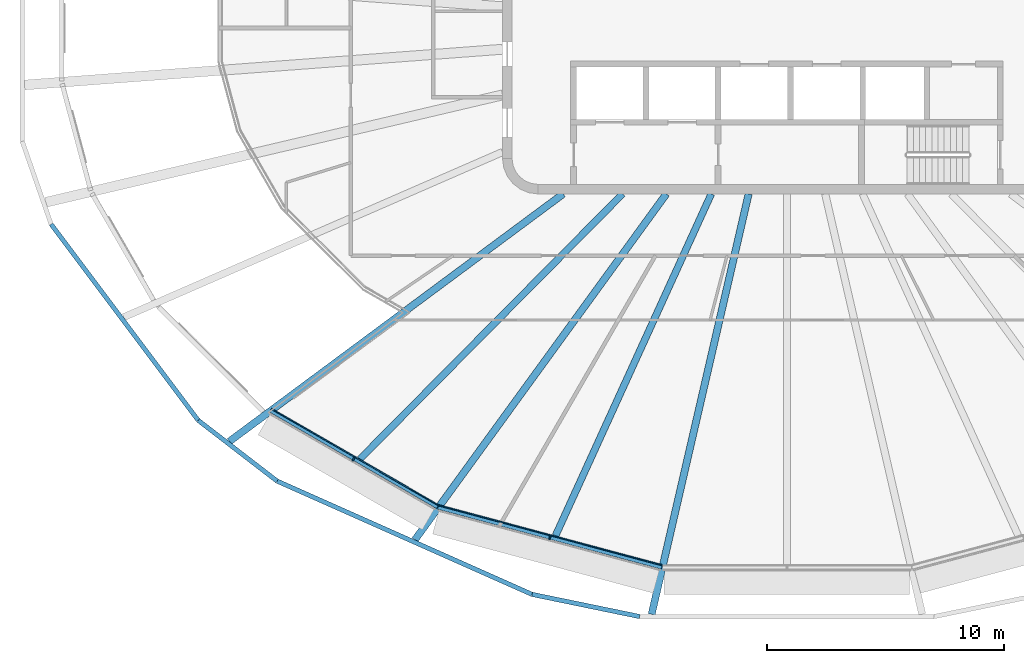
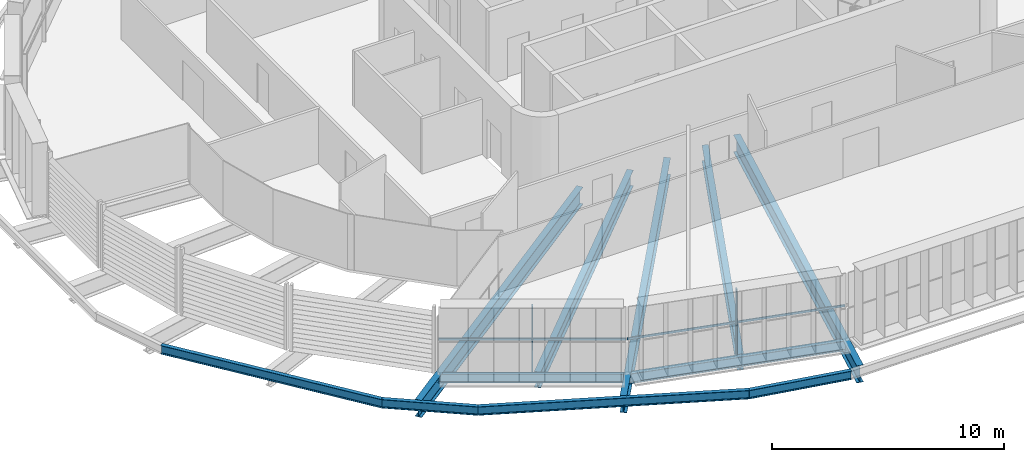
# One storey, part 1 of 19: 11 beams, 4 members, 2 elements without a shape of their own.
"""IFC4 building model written with IfcOpenShell, lengths in metres."""

from ifc_helpers import new_model, si_unit, direction, frame, origin, origin_2d, place, context, subcontext, project, spatial, rectangle, i_section, extrude, material, layer, layer_set, material_profile, profile_set, type_object, element, aggregate, save


model = new_model("IFC4")

# Units and contexts
model_context = context("Model", 3, precision=1e-05, world=origin(), true_north=direction((0.0, 1.0)))
body_context = subcontext(model_context, "Body", "Model", "MODEL_VIEW")
ifc_project = project(units=[si_unit("LENGTHUNIT", "METRE"), si_unit("AREAUNIT", "SQUARE_METRE"), si_unit("VOLUMEUNIT", "CUBIC_METRE"), si_unit("PLANEANGLEUNIT", "RADIAN"), si_unit("MASSUNIT", "GRAM", prefix="KILO")], contexts=[model_context])

# Site, building, storey
site_placement = place(None, origin())
site = spatial("IfcSite", under=ifc_project, at=site_placement, CompositionType="ELEMENT")
building_placement = place(site_placement, origin())
building = spatial("IfcBuilding", under=site, at=building_placement, Name="Sahrelin Media Tower", CompositionType="ELEMENT")
storey_placement = place(building_placement, frame((0.0, 0.0, 229.60009765625)))
storey = spatial("IfcBuildingStorey", under=building, at=storey_placement, Name="L49", CompositionType="ELEMENT", Elevation=229.60009765625)

# Beams
ifc_material_1 = material(Name="Steel S355", Category="steel")
ifc_material_profile_1 = material_profile(ifc_material_1, i_section(OverallWidth=0.1904296875, OverallDepth=0.45703125, WebThickness=0.009033203125, FlangeThickness=0.014404296875, FilletRadius=0.01025390625, at=origin_2d()), Name="UB 457x191x74")
ifc_profile_set_1 = profile_set([ifc_material_profile_1], Name="Steel S355")
beam_type_1 = type_object("IfcBeamType", Name="Edge beam EB5", PredefinedType="BEAM", material=ifc_profile_set_1)
beam_1_placement = place(storey_placement, frame((-14.73779296875, -20.19091796875, -0.378662109375), z_axis=(-0.866014284008, 0.500019259524, 0.0), x_axis=(-0.500019259524, -0.866014284008, 0.0)))
element("IfcBeam", 1, at=beam_1_placement, inside=storey, type_object=beam_type_1, Name="Edge beam L49-09", PredefinedType="BEAM", context=body_context, shape_type="SweptSolid", body=[
    extrude(i_section(OverallWidth=0.1904296875, OverallDepth=0.45703125, WebThickness=0.009033203125, FlangeThickness=0.014404296875, FilletRadius=0.01025390625, at=origin_2d()), origin(), (0.0, 0.0, 1.0), 8.140869140625),
])
ifc_material_profile_2 = material_profile(ifc_material_1, i_section(OverallWidth=0.208740234375, OverallDepth=0.5283203125, WebThickness=0.009521484375, FlangeThickness=0.01318359375, FilletRadius=0.0126953125, at=origin_2d()), Name="UB 533x210x82")
ifc_profile_set_2 = profile_set([ifc_material_profile_2], Name="Steel S355")
beam_type_2 = type_object("IfcBeamType", Name="Edge beam EB6", PredefinedType="BEAM", material=ifc_profile_set_2)
beam_2_placement = place(storey_placement, frame((-5.275146484375, -22.730224609375, -0.414306640625), z_axis=(-0.965927302577, 0.258813535459, 0.0), x_axis=(-0.258813535459, -0.965927302577, 0.0)))
element("IfcBeam", 2, at=beam_2_placement, inside=storey, type_object=beam_type_2, Name="Edge beam L49-08", PredefinedType="BEAM", context=body_context, shape_type="SweptSolid", body=[
    extrude(i_section(OverallWidth=0.208740234375, OverallDepth=0.5283203125, WebThickness=0.009521484375, FlangeThickness=0.01318359375, FilletRadius=0.0126953125, at=origin_2d()), origin(), (0.0, 0.0, 1.0), 9.768798828125),
])

# Curtain wall, member
ifc_material_2 = material(Name="Champagne anodised aluminium 6063-T6", Category="aluminium")
ifc_layer = layer(ifc_material_2, 0.14990234375)
ifc_layer_set = layer_set([ifc_layer], Name="Tower ribbon curtain wall")
curtain_wall_type = type_object("IfcCurtainWallType", Name="Tower ribbon curtain wall", PredefinedType="NOTDEFINED", material=ifc_layer_set)
curtain_wall_1_placement = place(storey_placement, frame((-18.337646484375, -18.28564453125, 0.0), z_axis=(0.0, 0.0, 1.0), x_axis=(1.0, 0.0, 0.0)))
curtain_wall_1 = element("IfcCurtainWall", 3, at=curtain_wall_1_placement, inside=storey, type_object=curtain_wall_type, Name="L49:CW:L49-16", PredefinedType="NOTDEFINED")
ifc_material_profile_3 = material_profile(ifc_material_2, rectangle(XDim=0.06005859375, YDim=0.175048828125, at=origin_2d()), Name="Mullion 60x175")
ifc_profile_set_3 = profile_set([ifc_material_profile_3], Name="Champagne anodised aluminium 6063-T6")
member_type_1 = type_object("IfcMemberType", Name="Mullion 60x175 CW1B", PredefinedType="MULLION", material=ifc_profile_set_3)
member_1_placement = place(storey_placement, frame((-18.283935546875, -18.1923828125, 0.0), z_axis=(0.0, 0.0, 1.0), x_axis=(0.86602365845, -0.500003022996, 0.0)))
member_1 = element("IfcMember", 4, at=member_1_placement, type_object=member_type_1, Name="L49:CWM:L49-16", PredefinedType="MULLION", context=body_context, shape_type="SweptSolid", body=[
    extrude(rectangle(XDim=0.06005859375, YDim=0.175048828125, at=origin_2d()), origin(), (0.0, 0.0, 1.0), 3.448486328125),
])

curtain_wall_2_placement = place(storey_placement, frame((-10.031982421875, -21.61083984375, 0.0), z_axis=(0.0, 0.0, 1.0), x_axis=(1.0, 0.0, 0.0)))
curtain_wall_2 = element("IfcCurtainWall", 5, at=curtain_wall_2_placement, inside=storey, type_object=curtain_wall_type, Name="L49:CW:L49-17", PredefinedType="NOTDEFINED")
member_2_placement = place(storey_placement, frame((-10.004150390625, -21.507080078125, 0.0), z_axis=(0.0, 0.0, 1.0), x_axis=(0.965925826289, -0.258819045103, 0.0)))
member_2 = element("IfcMember", 6, at=member_2_placement, type_object=member_type_1, Name="L49:CWM:L49-17", PredefinedType="MULLION", context=body_context, shape_type="SweptSolid", body=[
    extrude(rectangle(XDim=0.06005859375, YDim=0.175048828125, at=origin_2d()), origin(), (0.0, 0.0, 1.0), 3.448486328125),
])

# Beams
ifc_material_profile_4 = material_profile(ifc_material_1, i_section(OverallWidth=0.30322265625, OverallDepth=0.903076171875, WebThickness=0.01513671875, FlangeThickness=0.020263671875, FilletRadius=0.01904296875, at=origin_2d()), Name="UB 914x305x201")
ifc_profile_set_4 = profile_set([ifc_material_profile_4], Name="Steel S355")
beam_type_3 = type_object("IfcBeamType", Name="Radial primary beam PB11", PredefinedType="BEAM", material=ifc_profile_set_4)
beam_3_placement = place(storey_placement, frame((-9.4404296875, -7.0, -0.6015625), z_axis=(-0.803268009865, -0.595617750178, 0.0), x_axis=(0.595617750178, -0.803268009865, 0.0)))
element("IfcBeam", 7, at=beam_3_placement, inside=storey, type_object=beam_type_3, Name="Radial beam L49-16", PredefinedType="BEAM", context=body_context, shape_type="SweptSolid", body=[
    extrude(i_section(OverallWidth=0.30322265625, OverallDepth=0.903076171875, WebThickness=0.01513671875, FlangeThickness=0.020263671875, FilletRadius=0.01904296875, at=origin_2d()), origin(), (0.0, 0.0, 1.0), 17.53369140625),
])
beam_4_placement = place(storey_placement, frame((-5.088134765625, -7.0, -0.6015625), z_axis=(-0.587961672332, -0.808888788319, 0.0), x_axis=(0.808888788319, -0.587961672332, 0.0)))
element("IfcBeam", 8, at=beam_4_placement, inside=storey, type_object=beam_type_3, Name="Radial beam L49-17", PredefinedType="BEAM", context=body_context, shape_type="SweptSolid", body=[
    extrude(i_section(OverallWidth=0.30322265625, OverallDepth=0.903076171875, WebThickness=0.01513671875, FlangeThickness=0.020263671875, FilletRadius=0.01904296875, at=origin_2d()), origin(), (0.0, 0.0, 1.0), 18.04150390625),
])
beam_5_placement = place(storey_placement, frame((-1.615234375, -7.0, -0.6015625), z_axis=(-0.224863425005, -0.974390291462, 0.0), x_axis=(0.974390291462, -0.224863425005, 0.0)))
element("IfcBeam", 9, at=beam_5_placement, inside=storey, type_object=beam_type_3, Name="Radial beam L49-18", PredefinedType="BEAM", context=body_context, shape_type="SweptSolid", body=[
    extrude(i_section(OverallWidth=0.30322265625, OverallDepth=0.903076171875, WebThickness=0.01513671875, FlangeThickness=0.020263671875, FilletRadius=0.01904296875, at=origin_2d()), origin(), (0.0, 0.0, 1.0), 18.2021484375),
])
ifc_material_profile_5 = material_profile(ifc_material_1, i_section(OverallWidth=0.291748046875, OverallDepth=0.8349609375, WebThickness=0.013916015625, FlangeThickness=0.018798828125, FilletRadius=0.017822265625, at=origin_2d()), Name="UB 838x292x176")
ifc_profile_set_5 = profile_set([ifc_material_profile_5], Name="Steel S355")
beam_type_4 = type_object("IfcBeamType", Name="Radial secondary beam SB10", PredefinedType="BEAM", material=ifc_profile_set_5)
beam_6_placement = place(storey_placement, frame((-6.933837890625, -7.0, -0.567626953125), z_axis=(-0.703742345505, -0.710455284408, 0.0), x_axis=(0.710455284408, -0.703742345505, 0.0)))
element("IfcBeam", 10, at=beam_6_placement, inside=storey, type_object=beam_type_4, Name="Secondary beam L49-12", PredefinedType="BEAM", context=body_context, shape_type="SweptSolid", body=[
    extrude(i_section(OverallWidth=0.291748046875, OverallDepth=0.8349609375, WebThickness=0.013916015625, FlangeThickness=0.018798828125, FilletRadius=0.017822265625, at=origin_2d()), origin(), (0.0, 0.0, 1.0), 15.74755859375),
])
beam_7_placement = place(storey_placement, frame((-3.190673828125, -7.0, -0.567626953125), z_axis=(-0.414737127923, -0.90994126993, 0.0), x_axis=(0.90994126993, -0.414737127923, 0.0)))
element("IfcBeam", 11, at=beam_7_placement, inside=storey, type_object=beam_type_4, Name="Secondary beam L49-13", PredefinedType="BEAM", context=body_context, shape_type="SweptSolid", body=[
    extrude(i_section(OverallWidth=0.291748046875, OverallDepth=0.8349609375, WebThickness=0.013916015625, FlangeThickness=0.018798828125, FilletRadius=0.017822265625, at=origin_2d()), origin(), (0.0, 0.0, 1.0), 15.846923828125),
])
ifc_material_profile_6 = material_profile(ifc_material_1, i_section(OverallWidth=0.1904296875, OverallDepth=0.45703125, WebThickness=0.009033203125, FlangeThickness=0.014404296875, FilletRadius=0.01025390625, at=origin_2d()), Name="UB 457x191x74")
ifc_profile_set_6 = profile_set([ifc_material_profile_6], Name="Steel S355")
beam_type_5 = type_object("IfcBeamType", Name="Tie chord TC5", PredefinedType="BEAM", material=ifc_profile_set_6)
beam_8_placement = place(storey_placement, frame((-31.045166015625, -8.27490234375, -0.378662109375), z_axis=(0.600064143266, -0.799951888533, 0.0), x_axis=(0.799951888533, 0.600064143266, 0.0)))
element("IfcBeam", 12, at=beam_8_placement, inside=storey, type_object=beam_type_5, Name="Tie chord L49-14", PredefinedType="BEAM", context=body_context, shape_type="SweptSolid", body=[
    extrude(i_section(OverallWidth=0.1904296875, OverallDepth=0.45703125, WebThickness=0.009033203125, FlangeThickness=0.014404296875, FilletRadius=0.01025390625, at=origin_2d()), origin(), (0.0, 0.0, 1.0), 10.3525390625),
])
beam_9_placement = place(storey_placement, frame((-24.8330078125, -16.556396484375, -0.378662109375), z_axis=(0.792411812876, -0.609986490682, 0.0), x_axis=(0.609986490682, 0.792411812876, 0.0)))
element("IfcBeam", 13, at=beam_9_placement, inside=storey, type_object=beam_type_5, Name="Tie chord L49-15", PredefinedType="BEAM", context=body_context, shape_type="SweptSolid", body=[
    extrude(i_section(OverallWidth=0.1904296875, OverallDepth=0.45703125, WebThickness=0.009033203125, FlangeThickness=0.014404296875, FilletRadius=0.01025390625, at=origin_2d()), origin(), (0.0, 0.0, 1.0), 4.19287109375),
])
beam_10_placement = place(storey_placement, frame((-21.510498046875, -19.114013671875, -0.378662109375), z_axis=(0.913838908375, -0.406076901017, 0.0), x_axis=(0.406076901017, 0.913838908375, 0.0)))
element("IfcBeam", 14, at=beam_10_placement, inside=storey, type_object=beam_type_5, Name="Tie chord L49-16", PredefinedType="BEAM", context=body_context, shape_type="SweptSolid", body=[
    extrude(i_section(OverallWidth=0.1904296875, OverallDepth=0.45703125, WebThickness=0.009033203125, FlangeThickness=0.014404296875, FilletRadius=0.01025390625, at=origin_2d()), origin(), (0.0, 0.0, 1.0), 11.774169921875),
])
beam_11_placement = place(storey_placement, frame((-10.750732421875, -23.895263671875, -0.378662109375), z_axis=(0.979389968608, -0.201978437935, 0.0), x_axis=(0.201978437935, 0.979389968608, 0.0)))
element("IfcBeam", 15, at=beam_11_placement, inside=storey, type_object=beam_type_5, Name="Tie chord L49-17", PredefinedType="BEAM", context=body_context, shape_type="SweptSolid", body=[
    extrude(i_section(OverallWidth=0.1904296875, OverallDepth=0.45703125, WebThickness=0.009033203125, FlangeThickness=0.014404296875, FilletRadius=0.01025390625, at=origin_2d()), origin(), (0.0, 0.0, 1.0), 4.63427734375),
])

# Member
ifc_material_profile_7 = material_profile(ifc_material_2, rectangle(XDim=0.050048828125, YDim=0.110107421875, at=origin_2d()), Name="Transom 50x110")
ifc_profile_set_7 = profile_set([ifc_material_profile_7], Name="Champagne anodised aluminium 6063-T6")
member_type_2 = type_object("IfcMemberType", Name="Transom 50x110 CW1B", PredefinedType="USERDEFINED", material=ifc_profile_set_7)
member_3_placement = place(storey_placement, frame((-21.7392578125, -16.067626953125, 1.599853515625), z_axis=(0.866026157845, -0.499998693927, 0.0), x_axis=(0.499998693927, 0.866026157845, 0.0)))
member_3 = element("IfcMember", 16, at=member_3_placement, type_object=member_type_2, Name="L49:CWT:L49-16", ObjectType="TRANSOM", PredefinedType="USERDEFINED", context=body_context, shape_type="SweptSolid", body=[
    extrude(rectangle(XDim=0.050048828125, YDim=0.110107421875, at=origin_2d()), origin(), (0.0, 0.0, 1.0), 8.109375),
])

aggregate(curtain_wall_1, [member_1, member_3])

member_4_placement = place(storey_placement, frame((-14.677734375, -20.13818359375, 1.599853515625), z_axis=(0.965917944543, -0.25884845839, 0.0), x_axis=(0.25884845839, 0.965917944543, 0.0)))
member_4 = element("IfcMember", 17, at=member_4_placement, type_object=member_type_2, Name="L49:CWT:L49-17", ObjectType="TRANSOM", PredefinedType="USERDEFINED", context=body_context, shape_type="SweptSolid", body=[
    extrude(rectangle(XDim=0.050048828125, YDim=0.110107421875, at=origin_2d()), origin(), (0.0, 0.0, 1.0), 9.7373046875),
])

aggregate(curtain_wall_2, [member_2, member_4])

save(model, "model.ifc")
